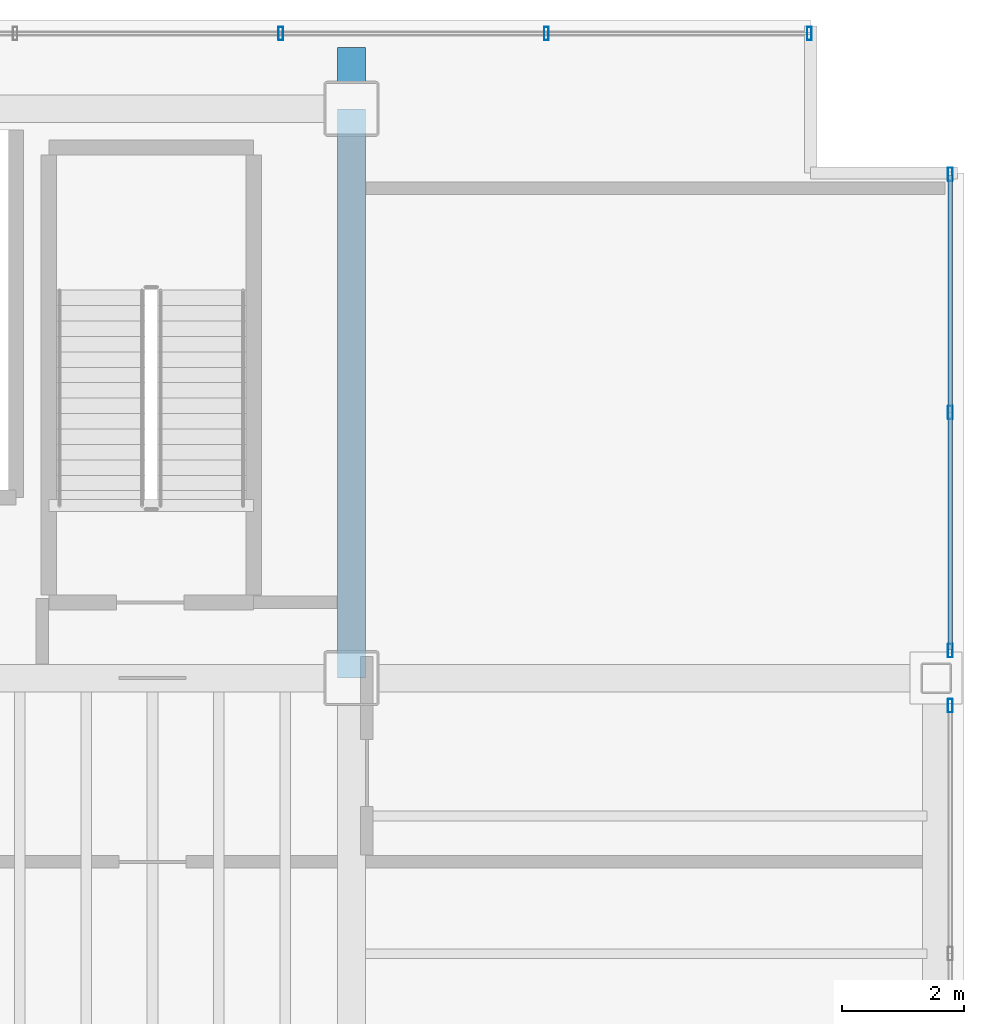
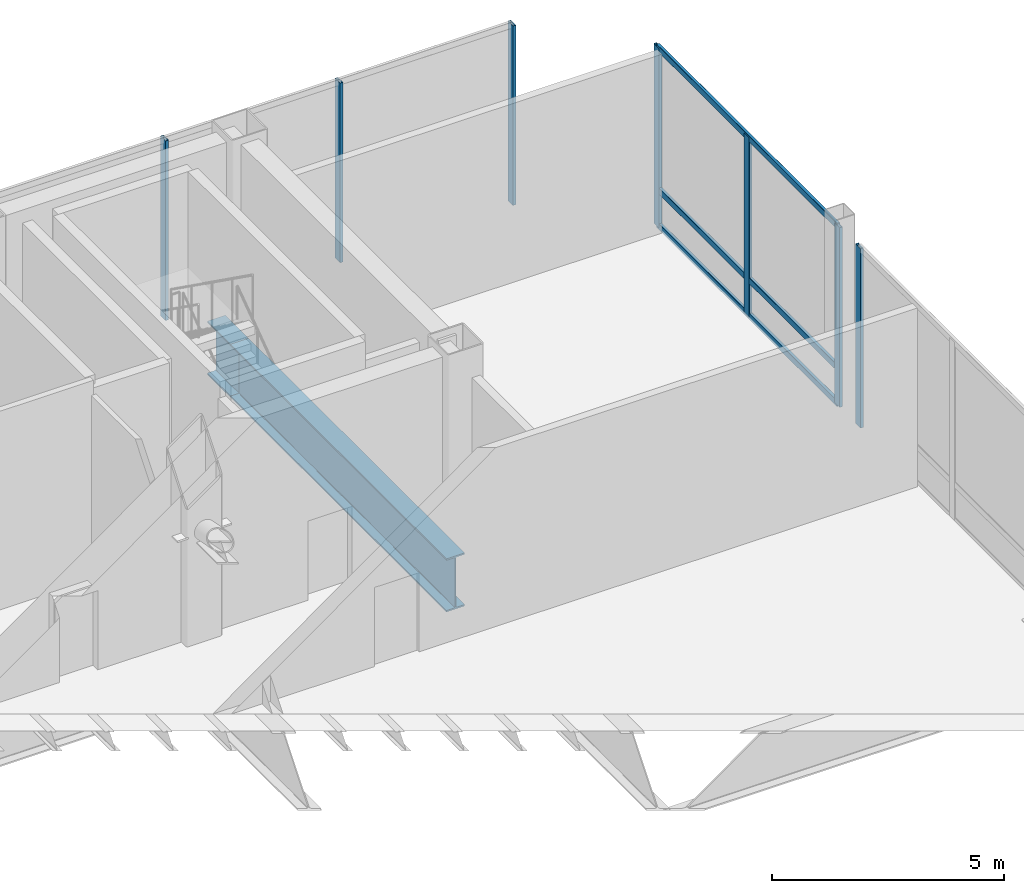
# One storey, part 14 of 18: 10 members, 2 beams, 3 elements without a shape of their own.
"""IFC4 building model written with IfcOpenShell, lengths in metres."""

from ifc_helpers import new_model, si_unit, direction, frame, origin, origin_2d, place, context, subcontext, project, spatial, hollow_rectangle, i_section, extrude, material, material_profile, profile_set, type_object, element, aggregate, save


model = new_model("IFC4")

# Units and contexts
model_context = context("Model", 3, precision=1e-05, world=origin(), true_north=direction((0.0, 1.0)))
body_context = subcontext(model_context, "Body", "Model", "MODEL_VIEW")
ifc_project = project(units=[si_unit("LENGTHUNIT", "METRE"), si_unit("AREAUNIT", "SQUARE_METRE"), si_unit("VOLUMEUNIT", "CUBIC_METRE"), si_unit("PLANEANGLEUNIT", "RADIAN"), si_unit("MASSUNIT", "GRAM", prefix="KILO")], contexts=[model_context])

# Site, building, storey
site_placement = place(None, origin())
site = spatial("IfcSite", under=ifc_project, at=site_placement, CompositionType="ELEMENT")
building_placement = place(site_placement, origin())
building = spatial("IfcBuilding", under=site, at=building_placement, Name="Noeulbin Bourse Tower", CompositionType="ELEMENT")
storey_placement = place(building_placement, frame((0.0, 0.0, 200.699951171875)))
storey = spatial("IfcBuildingStorey", under=building, at=storey_placement, Name="L50", CompositionType="ELEMENT", Elevation=200.699951171875)

# Beams
ifc_material_1 = material(Name="Steel S460", Category="steel")
ifc_material_profile_1 = material_profile(ifc_material_1, i_section(OverallWidth=0.449951171875, OverallDepth=1.39990234375, WebThickness=0.02392578125, FlangeThickness=0.0400390625, FilletRadius=0.02392578125, at=origin_2d()), Name="PG-1400x450x24x40", Category="LoadBearing")
ifc_profile_set_1 = profile_set([ifc_material_profile_1], Name="Steel S460")
beam_type = type_object("IfcBeamType", Name="BM-TRF-1400", PredefinedType="USERDEFINED", material=ifc_profile_set_1)
beam_1_placement = place(storey_placement, frame((44.0, 29.0, -1.0), z_axis=(0.0, 1.0, 0.0), x_axis=(-1.0, 0.0, 0.0)))
element("IfcBeam", 1, at=beam_1_placement, inside=storey, type_object=beam_type, Name="Tower Primary Girder NS L50-5.3", ObjectType="GIRDER", PredefinedType="USERDEFINED", context=body_context, shape_type="SweptSolid", body=[
    extrude(i_section(OverallWidth=0.449951171875, OverallDepth=1.39990234375, WebThickness=0.02392578125, FlangeThickness=0.0400390625, FilletRadius=0.02392578125, at=origin_2d()), origin(), (0.0, 0.0, 1.0), 9.300048828125),
])
beam_2_placement = place(storey_placement, frame((44.0, 38.300048828125, -1.0), z_axis=(0.0, 1.0, 0.0), x_axis=(-1.0, 0.0, 0.0)))
element("IfcBeam", 2, at=beam_2_placement, inside=storey, type_object=beam_type, Name="Tower Primary Girder NS L50-5.4", ObjectType="GIRDER", PredefinedType="USERDEFINED", context=body_context, shape_type="SweptSolid", body=[
    extrude(i_section(OverallWidth=0.449951171875, OverallDepth=1.39990234375, WebThickness=0.02392578125, FlangeThickness=0.0400390625, FilletRadius=0.02392578125, at=origin_2d()), origin(), (0.0, 0.0, 1.0), 1.0),
])

# Curtain wall, members
ifc_material_2 = material(Name="Translucent Ceramic-Fritted Glass", Category="glass")
curtain_wall_type = type_object("IfcCurtainWallType", Name="CW-SYS-5", PredefinedType="NOTDEFINED", material=ifc_material_2)
curtain_wall_1_placement = place(storey_placement, origin())
curtain_wall_1 = element("IfcCurtainWall", 3, at=curtain_wall_1_placement, inside=storey, type_object=curtain_wall_type, Name="Unitised Curtain Wall CW-L50-N", PredefinedType="NOTDEFINED")
ifc_material_3 = material(Name="Anodised Aluminium 6063-T6", Category="aluminium")
ifc_material_profile_2 = material_profile(ifc_material_3, hollow_rectangle(XDim=0.074951171875, YDim=0.219970703125, WallThickness=0.0048828125, InnerFilletRadius=0.00244140625, OuterFilletRadius=0.0048828125, at=origin_2d()), Name="ALU-MULL-75x220x5", Category="LoadBearing")
ifc_profile_set_2 = profile_set([ifc_material_profile_2], Name="Anodised Aluminium 6063-T6")
member_type_1 = type_object("IfcMemberType", Name="CW-SYS-5-MUL", PredefinedType="MULLION", material=ifc_profile_set_2)
member_1_placement = place(storey_placement, frame((42.844482421875, 39.530029296875, -0.02001953125), z_axis=(0.0, 0.0, 1.0), x_axis=(1.0, 0.0, 0.0)))
member_1 = element("IfcMember", 4, at=member_1_placement, type_object=member_type_1, Name="Curtain Wall Mullion CW-L50-N-M07", PredefinedType="MULLION", context=body_context, shape_type="SweptSolid", body=[
    extrude(hollow_rectangle(XDim=0.074951171875, YDim=0.219970703125, WallThickness=0.0048828125, InnerFilletRadius=0.00244140625, OuterFilletRadius=0.0048828125, at=origin_2d()), origin(), (0.0, 0.0, 1.0), 4.719970703125),
])
member_2_placement = place(storey_placement, frame((47.18212890625, 39.530029296875, -0.02001953125), z_axis=(0.0, 0.0, 1.0), x_axis=(1.0, 0.0, 0.0)))
member_2 = element("IfcMember", 5, at=member_2_placement, type_object=member_type_1, Name="Curtain Wall Mullion CW-L50-N-M08", PredefinedType="MULLION", context=body_context, shape_type="SweptSolid", body=[
    extrude(hollow_rectangle(XDim=0.074951171875, YDim=0.219970703125, WallThickness=0.0048828125, InnerFilletRadius=0.00244140625, OuterFilletRadius=0.0048828125, at=origin_2d()), origin(), (0.0, 0.0, 1.0), 4.719970703125),
])
member_3_placement = place(storey_placement, frame((51.47998046875, 39.530029296875, -0.02001953125), z_axis=(0.0, 0.0, 1.0), x_axis=(1.0, 0.0, 0.0)))
member_3 = element("IfcMember", 6, at=member_3_placement, type_object=member_type_1, Name="Curtain Wall Mullion CW-L50-N-M09", PredefinedType="MULLION", context=body_context, shape_type="SweptSolid", body=[
    extrude(hollow_rectangle(XDim=0.074951171875, YDim=0.219970703125, WallThickness=0.0048828125, InnerFilletRadius=0.00244140625, OuterFilletRadius=0.0048828125, at=origin_2d()), origin(), (0.0, 0.0, 1.0), 4.719970703125),
])
aggregate(curtain_wall_1, [member_1, member_2, member_3])

# Curtain wall, member
curtain_wall_2_placement = place(storey_placement, origin())
curtain_wall_2 = element("IfcCurtainWall", 7, at=curtain_wall_2_placement, inside=storey, type_object=curtain_wall_type, Name="Unitised Curtain Wall CW-L50-E-S2", PredefinedType="NOTDEFINED")
member_4_placement = place(storey_placement, frame((53.780029296875, 28.550048828125, -0.02001953125), z_axis=(0.0, 0.0, 1.0), x_axis=(1.0, 0.0, 0.0)))
member_4 = element("IfcMember", 8, at=member_4_placement, type_object=member_type_1, Name="Curtain Wall Mullion CW-L50-E-S2-M02", PredefinedType="MULLION", context=body_context, shape_type="SweptSolid", body=[
    extrude(hollow_rectangle(XDim=0.074951171875, YDim=0.219970703125, WallThickness=0.0048828125, InnerFilletRadius=0.00244140625, OuterFilletRadius=0.0048828125, at=origin_2d()), origin(), (0.0, 0.0, 1.0), 4.719970703125),
])
aggregate(curtain_wall_2, [member_4])

# Curtain wall, members
curtain_wall_3_placement = place(storey_placement, origin())
curtain_wall_3 = element("IfcCurtainWall", 9, at=curtain_wall_3_placement, inside=storey, type_object=curtain_wall_type, Name="Unitised Curtain Wall CW-L50-E-S3", PredefinedType="NOTDEFINED")
member_5_placement = place(storey_placement, frame((53.780029296875, 29.449951171875, -0.02001953125), z_axis=(0.0, 0.0, 1.0), x_axis=(1.0, 0.0, 0.0)))
member_5 = element("IfcMember", 10, at=member_5_placement, type_object=member_type_1, Name="Curtain Wall Mullion CW-L50-E-S3-M00", PredefinedType="MULLION", context=body_context, shape_type="SweptSolid", body=[
    extrude(hollow_rectangle(XDim=0.074951171875, YDim=0.219970703125, WallThickness=0.0048828125, InnerFilletRadius=0.00244140625, OuterFilletRadius=0.0048828125, at=origin_2d()), origin(), (0.0, 0.0, 1.0), 4.719970703125),
])
member_6_placement = place(storey_placement, frame((53.780029296875, 33.340087890625, -0.02001953125), z_axis=(0.0, 0.0, 1.0), x_axis=(1.0, 0.0, 0.0)))
member_6 = element("IfcMember", 11, at=member_6_placement, type_object=member_type_1, Name="Curtain Wall Mullion CW-L50-E-S3-M01", PredefinedType="MULLION", context=body_context, shape_type="SweptSolid", body=[
    extrude(hollow_rectangle(XDim=0.074951171875, YDim=0.219970703125, WallThickness=0.0048828125, InnerFilletRadius=0.00244140625, OuterFilletRadius=0.0048828125, at=origin_2d()), origin(), (0.0, 0.0, 1.0), 4.719970703125),
])
member_7_placement = place(storey_placement, frame((53.780029296875, 37.22998046875, -0.02001953125), z_axis=(0.0, 0.0, 1.0), x_axis=(1.0, 0.0, 0.0)))
member_7 = element("IfcMember", 12, at=member_7_placement, type_object=member_type_1, Name="Curtain Wall Mullion CW-L50-E-S3-M02", PredefinedType="MULLION", context=body_context, shape_type="SweptSolid", body=[
    extrude(hollow_rectangle(XDim=0.074951171875, YDim=0.219970703125, WallThickness=0.0048828125, InnerFilletRadius=0.00244140625, OuterFilletRadius=0.0048828125, at=origin_2d()), origin(), (0.0, 0.0, 1.0), 4.719970703125),
])
ifc_material_profile_3 = material_profile(ifc_material_3, hollow_rectangle(XDim=0.074951171875, YDim=0.159912109375, WallThickness=0.0048828125, InnerFilletRadius=0.00244140625, OuterFilletRadius=0.0048828125, at=origin_2d()), Name="ALU-TRAN-75x160x5", Category="LoadBearing")
ifc_profile_set_3 = profile_set([ifc_material_profile_3], Name="Anodised Aluminium 6063-T6")
member_type_2 = type_object("IfcMemberType", Name="CW-SYS-5-TRN", PredefinedType="USERDEFINED", material=ifc_profile_set_3)
member_8_placement = place(storey_placement, frame((53.780029296875, 29.4599609375, 0.010009765625), z_axis=(0.0, 1.0, 0.0), x_axis=(-1.0, 0.0, 0.0)))
member_8 = element("IfcMember", 13, at=member_8_placement, type_object=member_type_2, Name="Curtain Wall Transom CW-L50-E-S3-T00", ObjectType="TRANSOM", PredefinedType="USERDEFINED", context=body_context, shape_type="SweptSolid", body=[
    extrude(hollow_rectangle(XDim=0.074951171875, YDim=0.159912109375, WallThickness=0.0048828125, InnerFilletRadius=0.00244140625, OuterFilletRadius=0.0048828125, at=origin_2d()), origin(), (0.0, 0.0, 1.0), 7.760009765625),
])
member_9_placement = place(storey_placement, frame((53.780029296875, 29.4599609375, 0.949951171875), z_axis=(0.0, 1.0, 0.0), x_axis=(-1.0, 0.0, 0.0)))
member_9 = element("IfcMember", 14, at=member_9_placement, type_object=member_type_2, Name="Curtain Wall Transom CW-L50-E-S3-T01", ObjectType="TRANSOM", PredefinedType="USERDEFINED", context=body_context, shape_type="SweptSolid", body=[
    extrude(hollow_rectangle(XDim=0.074951171875, YDim=0.159912109375, WallThickness=0.0048828125, InnerFilletRadius=0.00244140625, OuterFilletRadius=0.0048828125, at=origin_2d()), origin(), (0.0, 0.0, 1.0), 7.760009765625),
])
member_10_placement = place(storey_placement, frame((53.780029296875, 29.4599609375, 4.670166015625), z_axis=(0.0, 1.0, 0.0), x_axis=(-1.0, 0.0, 0.0)))
member_10 = element("IfcMember", 15, at=member_10_placement, type_object=member_type_2, Name="Curtain Wall Transom CW-L50-E-S3-T02", ObjectType="TRANSOM", PredefinedType="USERDEFINED", context=body_context, shape_type="SweptSolid", body=[
    extrude(hollow_rectangle(XDim=0.074951171875, YDim=0.159912109375, WallThickness=0.0048828125, InnerFilletRadius=0.00244140625, OuterFilletRadius=0.0048828125, at=origin_2d()), origin(), (0.0, 0.0, 1.0), 7.760009765625),
])
aggregate(curtain_wall_3, [member_5, member_6, member_7, member_8, member_9, member_10])

save(model, "model.ifc")
